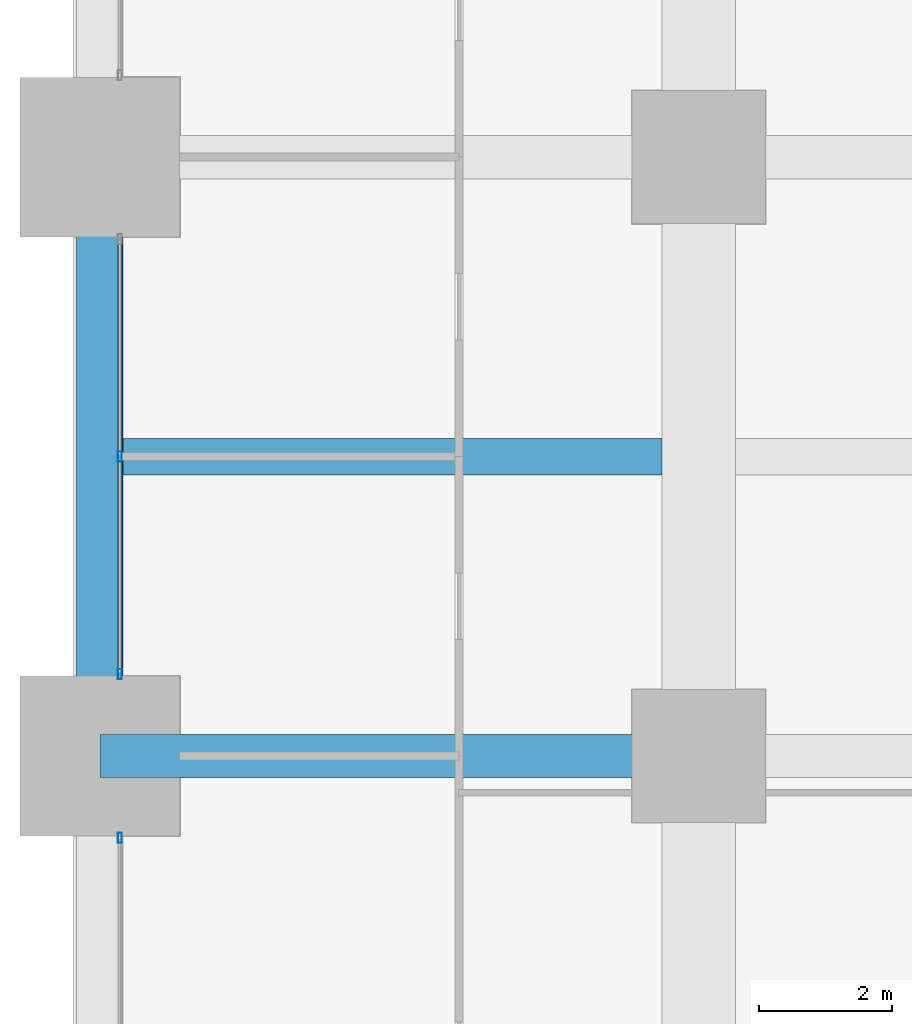
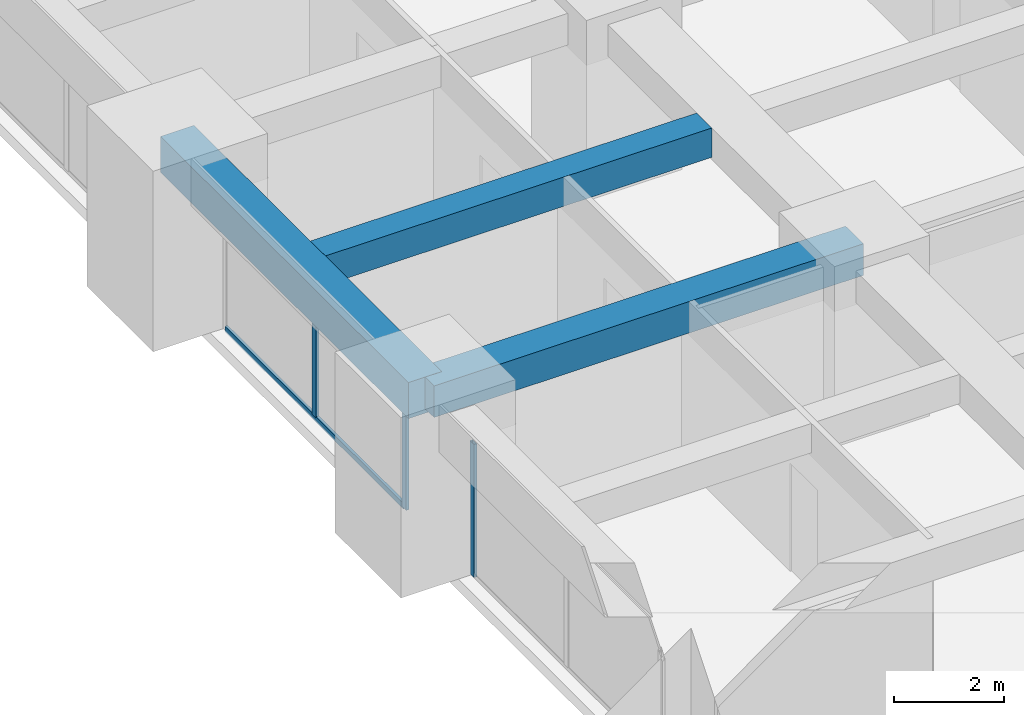
# One storey, part 9 of 41: 4 members, 3 beams, 2 elements without a shape of their own.
"""IFC4 building model written with IfcOpenShell, lengths in metres."""

from ifc_helpers import new_model, si_unit, direction, frame, origin, origin_2d, place, context, subcontext, project, spatial, rectangle, hollow_rectangle, extrude, material, material_profile, profile_set, type_object, element, aggregate, save


model = new_model("IFC4")

# Units and contexts
model_context = context("Model", 3, precision=1e-05, world=origin(), true_north=direction((0.0, 1.0)))
body_context = subcontext(model_context, "Body", "Model", "MODEL_VIEW")
ifc_project = project(units=[si_unit("LENGTHUNIT", "METRE"), si_unit("AREAUNIT", "SQUARE_METRE"), si_unit("VOLUMEUNIT", "CUBIC_METRE"), si_unit("PLANEANGLEUNIT", "RADIAN"), si_unit("MASSUNIT", "GRAM", prefix="KILO")], contexts=[model_context])

# Site, building, storey
site_placement = place(None, origin())
site = spatial("IfcSite", under=ifc_project, at=site_placement, CompositionType="ELEMENT")
building_placement = place(site_placement, origin())
building = spatial("IfcBuilding", under=site, at=building_placement, Name="Zorevar Civic Tower", CompositionType="ELEMENT")
storey_placement = place(building_placement, frame((0.0, 0.0, 113.0)))
storey = spatial("IfcBuildingStorey", under=building, at=storey_placement, Name="L27", CompositionType="ELEMENT", Elevation=113.0)

# Beams
ifc_material_1 = material(Name="Concrete C50/60", Category="concrete")
ifc_material_profile_1 = material_profile(ifc_material_1, rectangle(XDim=0.550048828125, YDim=0.64990234375, at=origin_2d()), Name="RC 550x650")
ifc_profile_set_1 = profile_set([ifc_material_profile_1], Name="Concrete C50/60")
beam_type_1 = type_object("IfcBeamType", Name="Beam RC 550x650", PredefinedType="BEAM", material=ifc_profile_set_1)
beam_1_placement = place(storey_placement, frame((0.35009765625, 22.5, 3.425048828125), z_axis=(1.0, 0.0, 0.0), x_axis=(0.0, 1.0, 0.0)))
element("IfcBeam", 1, at=beam_1_placement, inside=storey, type_object=beam_type_1, Name="Secondary beam L28", PredefinedType="BEAM", context=body_context, shape_type="SweptSolid", body=[
    extrude(rectangle(XDim=0.550048828125, YDim=0.64990234375, at=origin_2d()), origin(), (0.0, 0.0, 1.0), 8.099853515625),
])
ifc_material_2 = material(Name="Concrete C50/60", Category="concrete")
ifc_material_profile_2 = material_profile(ifc_material_2, rectangle(XDim=0.64990234375, YDim=0.699951171875, at=origin_2d()), Name="RC 650x700")
ifc_profile_set_2 = profile_set([ifc_material_profile_2], Name="Concrete C50/60")
beam_type_2 = type_object("IfcBeamType", Name="Beam RC 650x700", PredefinedType="BEAM", material=ifc_profile_set_2)
beam_2_placement = place(storey_placement, frame((0.0, 18.0, 3.39990234375), z_axis=(1.0, 0.0, 0.0), x_axis=(0.0, 1.0, 0.0)))
element("IfcBeam", 2, at=beam_2_placement, inside=storey, type_object=beam_type_2, Name="Girder L28", PredefinedType="BEAM", context=body_context, shape_type="SweptSolid", body=[
    extrude(rectangle(XDim=0.64990234375, YDim=0.699951171875, at=origin_2d()), origin(), (0.0, 0.0, 1.0), 9.0),
])

# Curtain wall, member
ifc_material_3 = material(Name="Dark grey solar-control glass in black aluminium frame", Category="aluminium")
curtain_wall_type = type_object("IfcCurtainWallType", Name="Curtain wall CW3 mid zone", PredefinedType="NOTDEFINED", material=ifc_material_3)
curtain_wall_1_placement = place(storey_placement, origin())
curtain_wall_1 = element("IfcCurtainWall", 3, at=curtain_wall_1_placement, inside=storey, type_object=curtain_wall_type, Name="CW3 L27", PredefinedType="NOTDEFINED")
ifc_material_4 = material(Name="Aluminium, black anodised", Category="aluminium")
ifc_material_profile_3 = material_profile(ifc_material_4, hollow_rectangle(XDim=0.06005859375, YDim=0.14990234375, WallThickness=0.00390625, at=origin_2d()), Name="AL 150x60x4")
ifc_profile_set_3 = profile_set([ifc_material_profile_3], Name="Aluminium, black anodised")
member_type_1 = type_object("IfcMemberType", Name="CW3 mullion AL 150x60x4", PredefinedType="MULLION", material=ifc_profile_set_3)
member_1_placement = place(storey_placement, frame((0.300048828125, 16.77001953125, 0.0), z_axis=(0.0, 0.0, 1.0), x_axis=(-1.0, 0.0, 0.0)))
member_1 = element("IfcMember", 4, at=member_1_placement, type_object=member_type_1, Name="CW3 mullion 3", PredefinedType="MULLION", context=body_context, shape_type="SweptSolid", body=[
    extrude(hollow_rectangle(XDim=0.06005859375, YDim=0.14990234375, WallThickness=0.00390625, at=origin_2d()), origin(), (0.0, 0.0, 1.0), 2.949951171875),
])
aggregate(curtain_wall_1, [member_1])

# Curtain wall, members
curtain_wall_2_placement = place(storey_placement, origin())
curtain_wall_2 = element("IfcCurtainWall", 5, at=curtain_wall_2_placement, inside=storey, type_object=curtain_wall_type, Name="CW3 L27", PredefinedType="NOTDEFINED")
member_2_placement = place(storey_placement, frame((0.300048828125, 19.22998046875, 0.0), z_axis=(0.0, 0.0, 1.0), x_axis=(-1.0, 0.0, 0.0)))
member_2 = element("IfcMember", 6, at=member_2_placement, type_object=member_type_1, Name="CW3 mullion 1", PredefinedType="MULLION", context=body_context, shape_type="SweptSolid", body=[
    extrude(hollow_rectangle(XDim=0.06005859375, YDim=0.14990234375, WallThickness=0.00390625, at=origin_2d()), origin(), (0.0, 0.0, 1.0), 2.949951171875),
])
member_3_placement = place(storey_placement, frame((0.300048828125, 22.5, 0.06005859375), z_axis=(0.0, 0.0, 1.0), x_axis=(-1.0, 0.0, 0.0)))
member_3 = element("IfcMember", 7, at=member_3_placement, type_object=member_type_1, Name="CW3 mullion 2", PredefinedType="MULLION", context=body_context, shape_type="SweptSolid", body=[
    extrude(hollow_rectangle(XDim=0.06005859375, YDim=0.14990234375, WallThickness=0.00390625, at=origin_2d()), origin(), (0.0, 0.0, 1.0), 2.889892578125),
])
ifc_material_5 = material(Name="Aluminium, black anodised", Category="aluminium")
ifc_material_profile_4 = material_profile(ifc_material_5, hollow_rectangle(XDim=0.06005859375, YDim=0.1201171875, WallThickness=0.0029296875, at=origin_2d()), Name="AL 120x60x3")
ifc_profile_set_4 = profile_set([ifc_material_profile_4], Name="Aluminium, black anodised")
member_type_2 = type_object("IfcMemberType", Name="CW3 transom AL 120x60x3", PredefinedType="USERDEFINED", material=ifc_profile_set_4)
member_4_placement = place(storey_placement, frame((0.300048828125, 19.260009765625, 0.030029296875), z_axis=(0.0, 1.0, 0.0), x_axis=(-1.0, 0.0, 0.0)))
member_4 = element("IfcMember", 8, at=member_4_placement, type_object=member_type_2, Name="CW3 sill transom", ObjectType="TRANSOM", PredefinedType="USERDEFINED", context=body_context, shape_type="SweptSolid", body=[
    extrude(hollow_rectangle(XDim=0.06005859375, YDim=0.1201171875, WallThickness=0.0029296875, at=origin_2d()), origin(), (0.0, 0.0, 1.0), 6.47998046875),
])
aggregate(curtain_wall_2, [member_2, member_3, member_4])

# Beam
ifc_material_6 = material(Name="Concrete C50/60", Category="concrete")
ifc_material_profile_5 = material_profile(ifc_material_6, rectangle(XDim=0.699951171875, YDim=0.800048828125, at=origin_2d()), Name="RC 700x800")
ifc_profile_set_5 = profile_set([ifc_material_profile_5], Name="Concrete C50/60")
beam_type_3 = type_object("IfcBeamType", Name="Edge beam RC 700x800", PredefinedType="SPANDREL", material=ifc_profile_set_5)
beam_3_placement = place(storey_placement, frame((0.0, 18.0, 3.35009765625), z_axis=(0.0, 1.0, 0.0), x_axis=(-1.0, 0.0, 0.0)))
element("IfcBeam", 9, at=beam_3_placement, inside=storey, type_object=beam_type_3, Name="Edge beam L28", PredefinedType="SPANDREL", context=body_context, shape_type="SweptSolid", body=[
    extrude(rectangle(XDim=0.699951171875, YDim=0.800048828125, at=origin_2d()), origin(), (0.0, 0.0, 1.0), 9.0),
])

save(model, "model.ifc")
